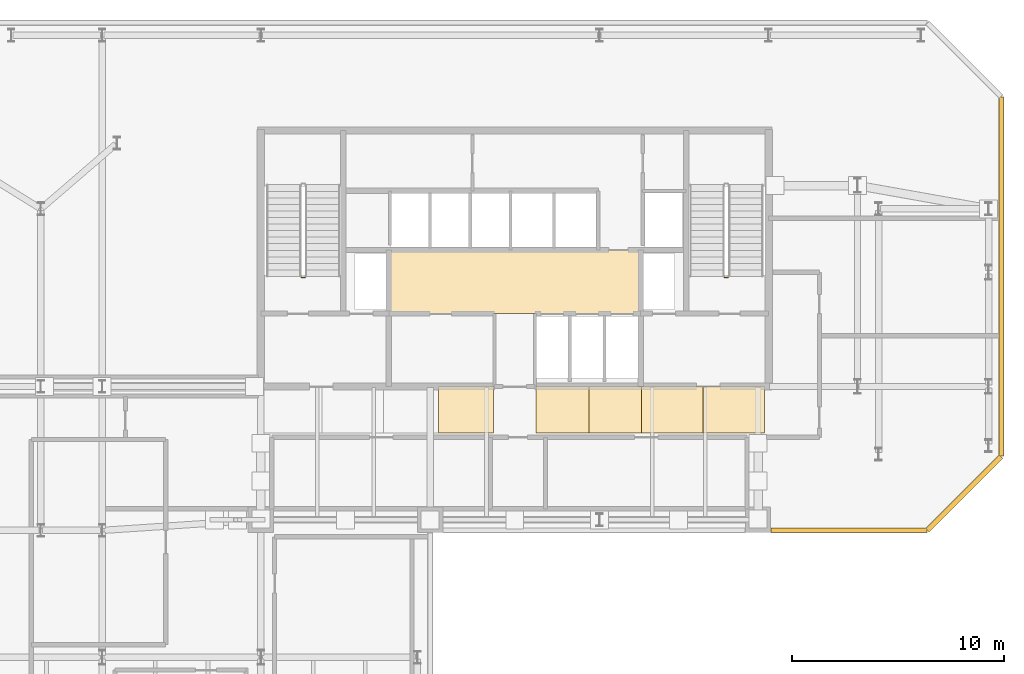
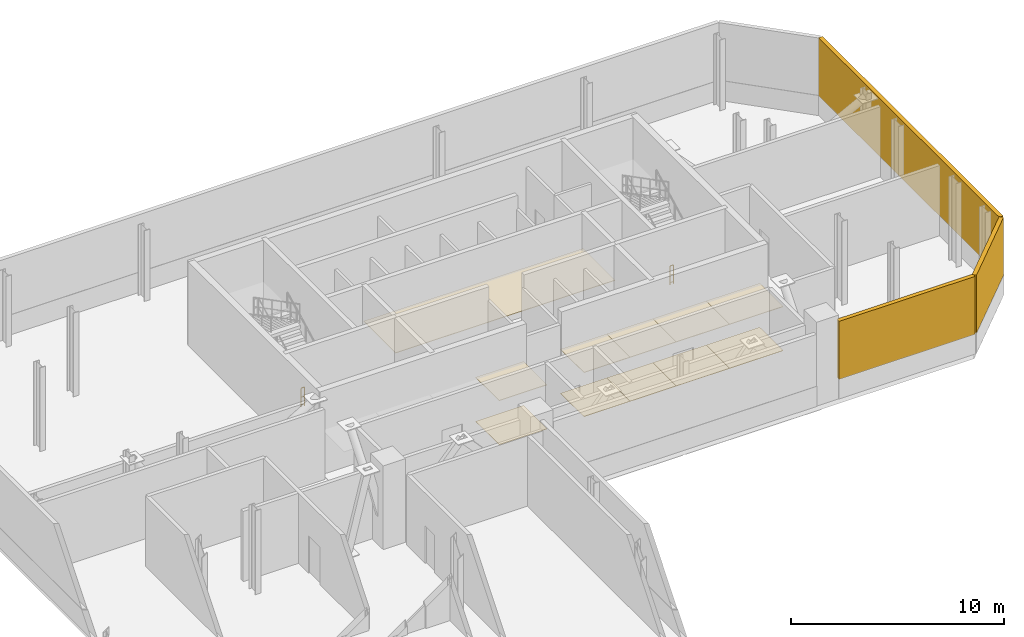
# One storey, part 8 of 9: 11 coverings, 3 shading devices, 2 railings.
"""IFC4 building model written with IfcOpenShell, lengths in metres."""

from ifc_helpers import new_model, si_unit, direction, frame, origin, origin_2d, place, context, subcontext, project, spatial, polyline, rectangle, circle, outline, extrude, material, layer, layer_set, type_object, element, save


model = new_model("IFC4")

# Units and contexts
model_context = context("Model", 3, precision=1e-05, world=origin(), true_north=direction((0.0, 1.0)))
body_context = subcontext(model_context, "Body", "Model", "MODEL_VIEW")
ifc_project = project(units=[si_unit("LENGTHUNIT", "METRE"), si_unit("AREAUNIT", "SQUARE_METRE"), si_unit("VOLUMEUNIT", "CUBIC_METRE"), si_unit("PLANEANGLEUNIT", "RADIAN"), si_unit("MASSUNIT", "GRAM", prefix="KILO")], contexts=[model_context])

# Site, building, storey
site_placement = place(None, origin())
site = spatial("IfcSite", under=ifc_project, at=site_placement, CompositionType="ELEMENT")
building_placement = place(site_placement, origin())
building = spatial("IfcBuilding", under=site, at=building_placement, Name="Catumbela Crestline Tower", CompositionType="ELEMENT")
storey_placement = place(building_placement, frame((0.0, 0.0, 144.0)))
storey = spatial("IfcBuildingStorey", under=building, at=storey_placement, Name="L37", CompositionType="ELEMENT", Elevation=144.0)

# Coverings
ifc_material_1 = material(Name="Mineral-fibre acoustic ceiling")
ifc_layer_1 = layer(ifc_material_1, 0.03, Name="Mineral-fibre acoustic ceiling")
ifc_layer_set_1 = layer_set([ifc_layer_1], Name="Mineral-fibre acoustic ceiling")
covering_type_1 = type_object("IfcCoveringType", Name="CC-AC", PredefinedType="CEILING", material=ifc_layer_set_1)
covering_1_placement = place(storey_placement, frame((0.0, 0.0, 2.65)))
element("IfcCovering", 1, at=covering_1_placement, inside=storey, type_object=covering_type_1, Name="L37 Lift Lobby Acoustic Ceiling", PredefinedType="CEILING", context=body_context, shape_type="SweptSolid", body=[
    extrude(outline(polyline([(22.05, 34.25), (33.95, 34.25), (33.95, 37.25), (22.05, 37.25), (22.05, 34.25)])), origin(), (0.0, 0.0, 1.0), 0.03),
])
covering_2_placement = place(storey_placement, frame((0.0, 0.0, 2.52)))
element("IfcCovering", 2, at=covering_2_placement, inside=storey, type_object=covering_type_1, Name="L37 Corridor Acoustic Ceiling Bay 4", PredefinedType="CEILING", context=body_context, shape_type="SweptSolid", body=[
    extrude(outline(polyline([(24.4, 28.6), (27.0, 28.6), (27.0, 30.8), (24.4, 30.8), (24.4, 28.6)])), origin(), (0.0, 0.0, 1.0), 0.03),
])
covering_3_placement = place(storey_placement, frame((0.0, 0.0, 2.52)))
element("IfcCovering", 3, at=covering_3_placement, inside=storey, type_object=covering_type_1, Name="L37 Corridor Acoustic Ceiling Bay 5", PredefinedType="CEILING", context=body_context, shape_type="SweptSolid", body=[
    extrude(outline(polyline([(29.0, 28.6), (31.5, 28.6), (31.5, 30.8), (29.0, 30.8), (29.0, 28.6)])), origin(), (0.0, 0.0, 1.0), 0.03),
])
covering_4_placement = place(storey_placement, frame((0.0, 0.0, 2.52)))
element("IfcCovering", 4, at=covering_4_placement, inside=storey, type_object=covering_type_1, Name="L37 Corridor Acoustic Ceiling Bay 6", PredefinedType="CEILING", context=body_context, shape_type="SweptSolid", body=[
    extrude(outline(polyline([(31.5, 28.6), (34.0, 28.6), (34.0, 30.8), (31.5, 30.8), (31.5, 28.6)])), origin(), (0.0, 0.0, 1.0), 0.03),
])
covering_5_placement = place(storey_placement, frame((0.0, 0.0, 2.52)))
element("IfcCovering", 5, at=covering_5_placement, inside=storey, type_object=covering_type_1, Name="L37 Corridor Acoustic Ceiling Bay 7", PredefinedType="CEILING", context=body_context, shape_type="SweptSolid", body=[
    extrude(outline(polyline([(34.0, 28.6), (36.9, 28.6), (36.9, 30.8), (34.0, 30.8), (34.0, 28.6)])), origin(), (0.0, 0.0, 1.0), 0.03),
])
covering_6_placement = place(storey_placement, frame((0.0, 0.0, 2.52)))
element("IfcCovering", 6, at=covering_6_placement, inside=storey, type_object=covering_type_1, Name="L37 Corridor Acoustic Ceiling Bay 8", PredefinedType="CEILING", context=body_context, shape_type="SweptSolid", body=[
    extrude(outline(polyline([(36.9, 28.6), (39.8, 28.6), (39.8, 30.8), (36.9, 30.8), (36.9, 28.6)])), origin(), (0.0, 0.0, 1.0), 0.03),
])
ifc_material_2 = material(Name="Angolan grey-ochre granite", Category="masonry")
ifc_layer_2 = layer(ifc_material_2, 0.025, Name="Angolan grey-ochre granite")
ifc_layer_set_2 = layer_set([ifc_layer_2], Name="Angolan grey-ochre granite")
covering_type_2 = type_object("IfcCoveringType", Name="CF-GR", PredefinedType="FLOORING", material=ifc_layer_set_2)
covering_7_placement = place(storey_placement, origin())
element("IfcCovering", 7, at=covering_7_placement, inside=storey, type_object=covering_type_2, Name="L37 Corridor Granite Flooring Bay 4", PredefinedType="FLOORING", context=body_context, shape_type="SweptSolid", body=[
    extrude(outline(polyline([(24.4, 28.6), (27.0, 28.6), (27.0, 30.8), (24.4, 30.8), (24.4, 28.6)])), origin(), (0.0, 0.0, 1.0), 0.025),
])
covering_8_placement = place(storey_placement, origin())
element("IfcCovering", 8, at=covering_8_placement, inside=storey, type_object=covering_type_2, Name="L37 Corridor Granite Flooring Bay 5", PredefinedType="FLOORING", context=body_context, shape_type="SweptSolid", body=[
    extrude(outline(polyline([(29.0, 28.6), (31.5, 28.6), (31.5, 30.8), (29.0, 30.8), (29.0, 28.6)])), origin(), (0.0, 0.0, 1.0), 0.025),
])
covering_9_placement = place(storey_placement, origin())
element("IfcCovering", 9, at=covering_9_placement, inside=storey, type_object=covering_type_2, Name="L37 Corridor Granite Flooring Bay 6", PredefinedType="FLOORING", context=body_context, shape_type="SweptSolid", body=[
    extrude(outline(polyline([(31.5, 28.6), (34.0, 28.6), (34.0, 30.8), (31.5, 30.8), (31.5, 28.6)])), origin(), (0.0, 0.0, 1.0), 0.025),
])
covering_10_placement = place(storey_placement, origin())
element("IfcCovering", 10, at=covering_10_placement, inside=storey, type_object=covering_type_2, Name="L37 Corridor Granite Flooring Bay 7", PredefinedType="FLOORING", context=body_context, shape_type="SweptSolid", body=[
    extrude(outline(polyline([(34.0, 28.6), (36.9, 28.6), (36.9, 30.8), (34.0, 30.8), (34.0, 28.6)])), origin(), (0.0, 0.0, 1.0), 0.025),
])
covering_11_placement = place(storey_placement, origin())
element("IfcCovering", 11, at=covering_11_placement, inside=storey, type_object=covering_type_2, Name="L37 Corridor Granite Flooring Bay 8", PredefinedType="FLOORING", context=body_context, shape_type="SweptSolid", body=[
    extrude(outline(polyline([(36.9, 28.6), (39.8, 28.6), (39.8, 30.8), (36.9, 30.8), (36.9, 28.6)])), origin(), (0.0, 0.0, 1.0), 0.025),
])

# Railings
ifc_material_3 = material(Name="Stainless steel EN 1.4401", Category="steel")
railing_type = type_object("IfcRailingType", Name="RG-1100", PredefinedType="GUARDRAIL", material=ifc_material_3)
for number, where, name in (
    (12, (18.09, 35.95, 0.0), "L37 ST-01 stair guard 4"),
    (13, (38.09, 35.95, 0.0), "L37 ST-02 stair guard 4"),
):
    element("IfcRailing", number, at=place(storey_placement, frame(where)), inside=storey, type_object=railing_type, Name=name, PredefinedType="GUARDRAIL", context=body_context, shape_type="SweptSolid", body=[
        extrude(circle(Radius=0.024, at=origin_2d()), frame((0.0, 0.0, 1.076), z_axis=(-1.0, 0.0, 0.0), x_axis=(0.0, -1.0, 0.0)), (0.0, 0.0, 1.0), 0.18),
        extrude(circle(Radius=0.0156, at=origin_2d()), frame((0.0, 0.0, 0.55), z_axis=(-1.0, 0.0, 0.0), x_axis=(0.0, -1.0, 0.0)), (0.0, 0.0, 1.0), 0.18),
        extrude(circle(Radius=0.0156, at=origin_2d()), frame((0.0, 0.0, 0.12), z_axis=(-1.0, 0.0, 0.0), x_axis=(0.0, -1.0, 0.0)), (0.0, 0.0, 1.0), 0.18),
        extrude(circle(Radius=0.021, at=origin_2d()), origin(), (0.0, 0.0, 1.0), 1.052),
        extrude(circle(Radius=0.021, at=origin_2d()), frame((-0.18, 0.0, 0.0)), (0.0, 0.0, 1.0), 1.052),
    ])

# Shading devices
ifc_material_4 = material(Name="Aluminium alloy AW-6060-T66", Category="aluminium")
shading_device_type = type_object("IfcShadingDeviceType", Name="SL-PLT", PredefinedType="JALOUSIE", material=ifc_material_4)
shading_device_1_placement = place(storey_placement, frame((43.8, 24.0, 1.11), z_axis=(0.0, 0.0, 1.0), x_axis=(1.0, 0.0, 0.0)))
element("IfcShadingDevice", 14, at=shading_device_1_placement, inside=storey, type_object=shading_device_type, Name="L37 Acoustic Plant Louvre Bank 17", PredefinedType="JALOUSIE", context=body_context, shape_type="SweptSolid", body=[
    extrude(rectangle(XDim=7.36, YDim=0.22, at=origin_2d()), origin(), (0.0, 0.0, 1.0), 3.33),
])
shading_device_2_placement = place(storey_placement, frame((49.25, 25.75, 1.11), z_axis=(0.0, 0.0, 1.0), x_axis=(0.707106781187, 0.707106781187, 0.0)))
element("IfcShadingDevice", 15, at=shading_device_2_placement, inside=storey, type_object=shading_device_type, Name="L37 Acoustic Plant Louvre Bank 18", PredefinedType="JALOUSIE", context=body_context, shape_type="SweptSolid", body=[
    extrude(rectangle(XDim=4.9097, YDim=0.22, at=origin_2d()), origin(), (0.0, 0.0, 1.0), 3.33),
])
shading_device_3_placement = place(storey_placement, frame((51.0, 36.0, 1.11), z_axis=(0.0, 0.0, 1.0), x_axis=(0.0, 1.0, 0.0)))
element("IfcShadingDevice", 16, at=shading_device_3_placement, inside=storey, type_object=shading_device_type, Name="L37 Acoustic Plant Louvre Bank 19", PredefinedType="JALOUSIE", context=body_context, shape_type="SweptSolid", body=[
    extrude(rectangle(XDim=16.96, YDim=0.22, at=origin_2d()), origin(), (0.0, 0.0, 1.0), 3.33),
])

save(model, "model.ifc")
